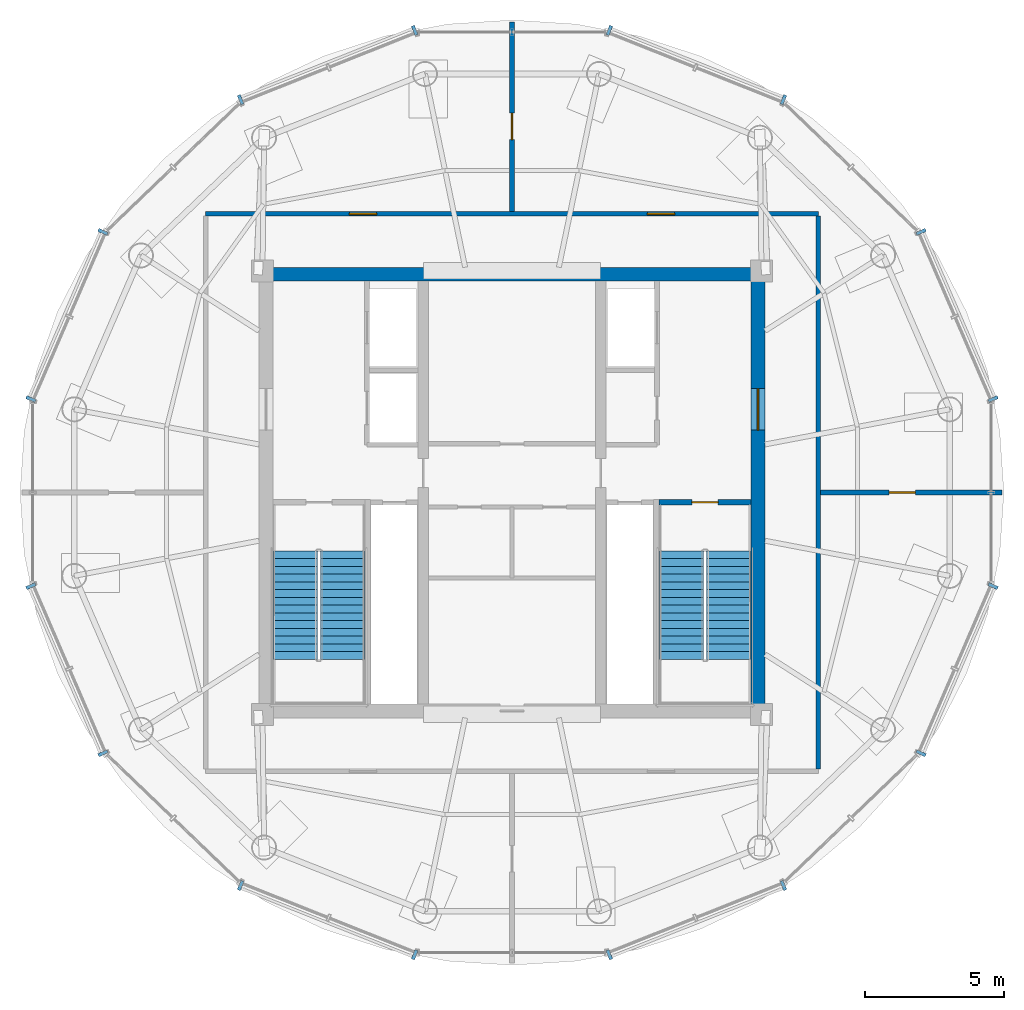
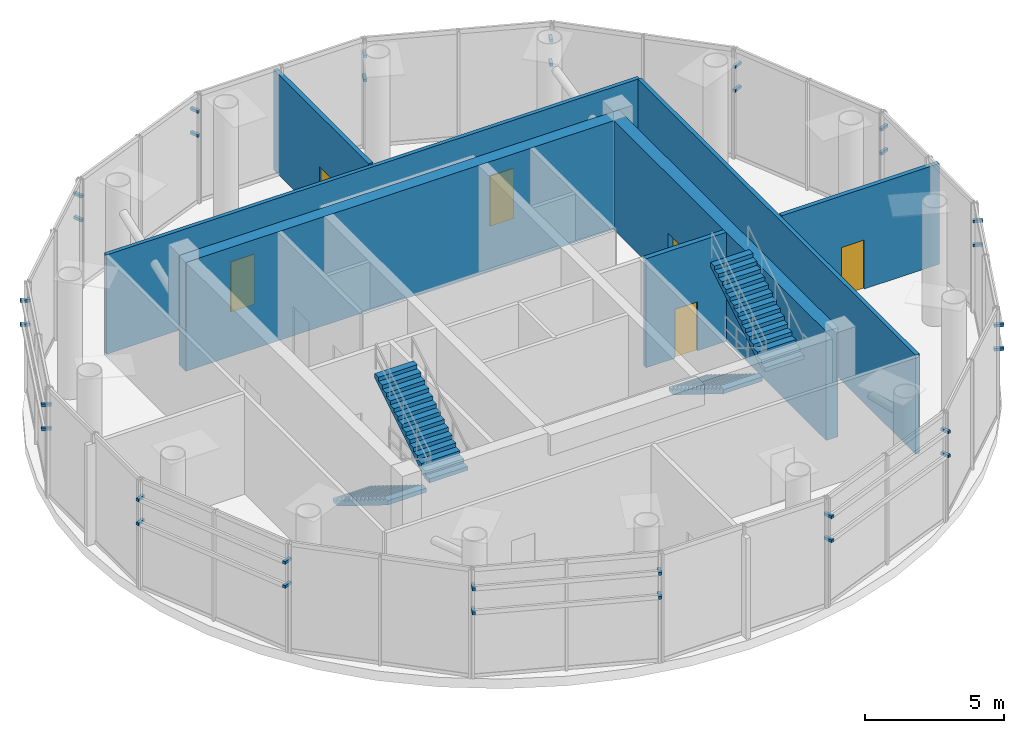
# One storey, part 13 of 15: 32 discrete accessories, 7 walls, 6 doors, 4 stair flights, 6 openings, 2 elements without a shape of their own.
"""IFC4 building model written with IfcOpenShell, lengths in metres."""

import ifcopenshell
import ifcopenshell.guid

model = None  # the IFC model being written
_history = None  # IfcOwnerHistory: only IFC2X3 demands one
_inside = {}  # id of a spatial element -> (the spatial element, [elements in it])
_under = {}  # id of a project, library or spatial element -> (it, [spatial elements below it])
_declared = {}  # id of a project -> (the project, [libraries it declares])
_typed = {}  # id of a type object -> (the type object, [elements of that type])
_made_of = {}  # id of a material, layer set ... -> (it, [elements and type objects made of it])


def new_model(schema):
    """Start an empty IFC model of exactly this schema.

    Asked for "IFC4X3", IfcOpenShell would pick the latest addendum, in which some entities
    have other attributes; the version numbers below select the first issue.
    IFC2X3 requires an IfcOwnerHistory on every rooted entity: one is made here for all.
    """
    global model, _history
    if schema == "IFC4X3":
        model = ifcopenshell.file(schema_version=(4, 3, 0, 0))
    else:
        model = ifcopenshell.file(schema=schema)
    _inside.clear()
    _under.clear()
    _declared.clear()
    _typed.clear()
    _made_of.clear()
    _history = None
    if model.schema == "IFC2X3":
        org = make("IfcOrganization", Name="unknown")
        user = make(
            "IfcPersonAndOrganization",
            ThePerson=make("IfcPerson", FamilyName="unknown"),
            TheOrganization=org,
        )
        app = make(
            "IfcApplication",
            ApplicationDeveloper=org,
            Version="unknown",
            ApplicationFullName="unknown",
            ApplicationIdentifier="unknown",
        )
        _history = make(
            "IfcOwnerHistory",
            OwningUser=user,
            OwningApplication=app,
            ChangeAction="ADDED",
            CreationDate=0,
        )
    return model


def make(cls, **values):
    """One entity of the class cls with the attributes given. An attribute that is None is left unset."""
    return model.create_entity(
        cls, **{name: value for name, value in values.items() if value is not None}
    )


def rooted(cls, **values):
    """An entity with a GlobalId (a new one), such as an element, a storey or a relation."""
    return make(cls, GlobalId=ifcopenshell.guid.new(), OwnerHistory=_history, **values)


def si_unit(unit_type, name, prefix=None):
    """IfcSIUnit, for example si_unit("LENGTHUNIT", "METRE", prefix="MILLI")."""
    return make("IfcSIUnit", UnitType=unit_type, Prefix=prefix, Name=name)


def assignment(units):
    """IfcUnitAssignment: the units of a project."""
    return None if units is None else make("IfcUnitAssignment", Units=units)


def point(xyz):
    """IfcCartesianPoint."""
    return None if xyz is None else make("IfcCartesianPoint", Coordinates=xyz)


def direction(xyz):
    """IfcDirection."""
    return None if xyz is None else make("IfcDirection", DirectionRatios=xyz)


def frame(location, z_axis=None, x_axis=None):
    """IfcAxis2Placement3D, a coordinate frame: its origin and axes. An axis left out is left unset."""
    return make(
        "IfcAxis2Placement3D",
        Location=point(location),
        Axis=direction(z_axis),
        RefDirection=direction(x_axis),
    )


def frame_2d(location, x_axis=None):
    """IfcAxis2Placement2D, a coordinate frame in the plane: its origin and x axis."""
    return make(
        "IfcAxis2Placement2D", Location=point(location), RefDirection=direction(x_axis)
    )


def origin():
    """The frame at (0, 0, 0) with its axes left unset."""
    return frame((0.0, 0.0, 0.0))


def origin_2d():
    """The frame at (0, 0) in the plane with its x axis left unset."""
    return frame_2d((0.0, 0.0))


def place(relative_to, where):
    """IfcLocalPlacement: puts the frame where relative to a parent placement (None: the world)."""
    return make(
        "IfcLocalPlacement", PlacementRelTo=relative_to, RelativePlacement=where
    )


def context(
    kind, dimensions, precision=None, world=None, true_north=None, identifier=None
):
    """IfcGeometricRepresentationContext, for example the 3D "Model" context."""
    return make(
        "IfcGeometricRepresentationContext",
        ContextIdentifier=identifier,
        ContextType=kind,
        CoordinateSpaceDimension=dimensions,
        Precision=precision,
        WorldCoordinateSystem=world,
        TrueNorth=true_north,
    )


def subcontext(parent, identifier, kind, view, scale=None):
    """IfcGeometricRepresentationSubContext, for example "Body" below "Model"."""
    return make(
        "IfcGeometricRepresentationSubContext",
        ContextIdentifier=identifier,
        ContextType=kind,
        ParentContext=parent,
        TargetScale=scale,
        TargetView=view,
    )


def project(units=None, contexts=None):
    """IfcProject with its units and contexts."""
    return rooted(
        "IfcProject",
        Name="project",
        RepresentationContexts=contexts,
        UnitsInContext=assignment(units),
    )


def spatial(cls, under=None, at=None, **own):
    """A site, building, storey or space (cls), placed at a placement, below another one or the project."""
    s = rooted(cls, ObjectPlacement=at, **own)
    if under is not None:
        _under.setdefault(under.id(), (under, []))[1].append(s)
    return s


def polyline(points):
    """IfcPolyline through the points."""
    return make("IfcPolyline", Points=[point(p) for p in points])


def profile(cls, at=None, kind="AREA", **sizes):
    """A parametric profile (cls). Its sizes go by their IFC names, for example OverallWidth=200.0."""
    return make(cls, ProfileType=kind, Position=at, **sizes)


def rectangle(**sizes):
    """IfcRectangleProfileDef."""
    return profile("IfcRectangleProfileDef", **sizes)


def outline(outer, holes=None, kind="AREA"):
    """IfcArbitraryClosedProfileDef: a profile drawn as a closed curve; with holes, ...WithVoids."""
    if holes is None:
        return make("IfcArbitraryClosedProfileDef", ProfileType=kind, OuterCurve=outer)
    return make(
        "IfcArbitraryProfileDefWithVoids",
        ProfileType=kind,
        OuterCurve=outer,
        InnerCurves=holes,
    )


def extrude(swept, where, along, depth):
    """IfcExtrudedAreaSolid: the profile swept, set in the frame where, extruded along a direction by depth."""
    return make(
        "IfcExtrudedAreaSolid",
        SweptArea=swept,
        Position=where,
        ExtrudedDirection=direction(along),
        Depth=depth,
    )


def shape(context_of_items, identifier, shape_type, items):
    """IfcShapeRepresentation: the items that make up one representation, for example the "Body"."""
    return make(
        "IfcShapeRepresentation",
        ContextOfItems=context_of_items,
        RepresentationIdentifier=identifier,
        RepresentationType=shape_type,
        Items=items,
    )


def source(mapping_origin, context_of_items, identifier, shape_type, items):
    """IfcRepresentationMap: a shape defined once, which mapped items show again and again."""
    return make(
        "IfcRepresentationMap",
        MappingOrigin=mapping_origin,
        MappedRepresentation=shape(context_of_items, identifier, shape_type, items),
    )


def transform(
    local_origin,
    x_axis=None,
    y_axis=None,
    z_axis=None,
    scale=None,
    scale2=None,
    scale3=None,
    uniform=True,
):
    """IfcCartesianTransformationOperator3D, or its non-uniform kind. x_axis, y_axis, z_axis: its Axis1, 2, 3."""
    if uniform:
        return make(
            "IfcCartesianTransformationOperator3D",
            Axis1=direction(x_axis),
            Axis2=direction(y_axis),
            LocalOrigin=point(local_origin),
            Scale=scale,
            Axis3=direction(z_axis),
        )
    return make(
        "IfcCartesianTransformationOperator3DnonUniform",
        Axis1=direction(x_axis),
        Axis2=direction(y_axis),
        LocalOrigin=point(local_origin),
        Scale=scale,
        Axis3=direction(z_axis),
        Scale2=scale2,
        Scale3=scale3,
    )


def mapped(mapping_source, mapping_target):
    """IfcMappedItem: shows the shape of a source again, moved by a transform."""
    return make(
        "IfcMappedItem", MappingSource=mapping_source, MappingTarget=mapping_target
    )


def material(Name=None, Category=None):
    """IfcMaterial."""
    return make("IfcMaterial", Name=Name, Category=Category)


def layer(
    of_material, thickness, ventilated=None, Name=None, Category=None, Priority=None
):
    """IfcMaterialLayer: one layer of a wall or slab, of a material (None: an air gap)."""
    return make(
        "IfcMaterialLayer",
        Material=of_material,
        LayerThickness=thickness,
        IsVentilated=ventilated,
        Name=Name,
        Category=Category,
        Priority=Priority,
    )


def layer_set(layers, Name=None):
    """IfcMaterialLayerSet."""
    return make("IfcMaterialLayerSet", MaterialLayers=layers, LayerSetName=Name)


def made_of(thing, what):
    """Note that an element or type object is made of a material, layer set ...; save() writes the relation."""
    if what is not None:
        _made_of.setdefault(what.id(), (what, []))[1].append(thing)
    return thing


def type_object(cls, material=None, **own):
    """A type object (cls), such as IfcWallType, which elements share."""
    return made_of(rooted(cls, **own), material)


def element(
    cls,
    number,
    at=None,
    inside=None,
    cuts=None,
    type_object=None,
    material=None,
    context=None,
    identifier="Body",
    shape_type=None,
    held_by="IfcProductDefinitionShape",
    body=None,
    shapes=None,
    **own,
):
    """One element of the class cls, such as IfcWall. Its Tag is "e" and its number.

    at: its placement. inside: the storey or other place that contains it. cuts: it is an
    opening in that element (IfcRelVoidsElement). A single representation is given by context,
    identifier, shape_type and body (its items); several are given by shapes. held_by: the class
    of the entity that holds the representations. save() writes the other relations.
    """
    e = rooted(cls, Tag="e%d" % number, ObjectPlacement=at, **own)
    if body is not None:
        shapes = [shape(context, identifier, shape_type, body)]
    if shapes is not None:
        e.Representation = make(held_by, Representations=shapes)
    if inside is not None:
        _inside.setdefault(inside.id(), (inside, []))[1].append(e)
    if cuts is not None:
        rooted(
            "IfcRelVoidsElement", RelatingBuildingElement=cuts, RelatedOpeningElement=e
        )
    if type_object is not None:
        _typed.setdefault(type_object.id(), (type_object, []))[1].append(e)
    return made_of(e, material)


def fill(opening, filler):
    """IfcRelFillsElement: the door or window that sits in an opening."""
    return rooted(
        "IfcRelFillsElement",
        RelatingOpeningElement=opening,
        RelatedBuildingElement=filler,
    )


def aggregate(whole, parts):
    """IfcRelAggregates: a whole, such as a stair, and the parts it consists of."""
    return rooted("IfcRelAggregates", RelatingObject=whole, RelatedObjects=parts)


def save(model, path):
    """Write the relations noted so far, then the file.

    IfcRelAggregates (storeys below a building ...), IfcRelContainedInSpatialStructure (elements
    in a storey), IfcRelDefinesByType, IfcRelAssociatesMaterial and IfcRelDeclares: one each for
    every whole, place, type object, material and project.
    """
    for whole, parts in _under.values():
        aggregate(whole, parts)
    for where, things in _inside.values():
        rooted(
            "IfcRelContainedInSpatialStructure",
            RelatedElements=things,
            RelatingStructure=where,
        )
    for kind, things in _typed.values():
        rooted("IfcRelDefinesByType", RelatedObjects=things, RelatingType=kind)
    for what, things in _made_of.values():
        rooted("IfcRelAssociatesMaterial", RelatedObjects=things, RelatingMaterial=what)
    for by, libraries in _declared.values():
        rooted("IfcRelDeclares", RelatingContext=by, RelatedDefinitions=libraries)
    model.write(path)


model = new_model("IFC4")

# Units and contexts
model_context = context("Model", 3, precision=1e-05, world=origin(), true_north=direction((-0.2419218956, 0.970295726276)))
body_context = subcontext(model_context, "Body", "Model", "MODEL_VIEW")
ifc_project = project(units=[si_unit("LENGTHUNIT", "METRE"), si_unit("AREAUNIT", "SQUARE_METRE"), si_unit("VOLUMEUNIT", "CUBIC_METRE"), si_unit("PLANEANGLEUNIT", "RADIAN"), si_unit("MASSUNIT", "GRAM", prefix="KILO")], contexts=[model_context])

# Site, building, storey
site_placement = place(None, origin())
site = spatial("IfcSite", under=ifc_project, at=site_placement, CompositionType="ELEMENT")
building_placement = place(site_placement, origin())
building = spatial("IfcBuilding", under=site, at=building_placement, Name="Cobrevalo Terracotta Tower", CompositionType="ELEMENT")
storey_placement = place(building_placement, frame((0.0, 0.0, 316.5)))
storey = spatial("IfcBuildingStorey", under=building, at=storey_placement, Name="L82", CompositionType="ELEMENT", Elevation=316.5)

# Wall
ifc_material_1 = material(Name="Concrete C50", Category="concrete")
ifc_layer_1 = layer(ifc_material_1, 0.5)
ifc_layer_set_1 = layer_set([ifc_layer_1], Name="Concrete C50")
wall_type_1 = type_object("IfcWallType", Name="Crown core shear wall 500 mm Concrete C50", PredefinedType="SHEAR", material=ifc_layer_set_1)
wall_1_placement = place(storey_placement, frame((28.875, 34.675048828125, 0.0), z_axis=(0.0, 0.0, 1.0), x_axis=(1.0, 0.0, 0.0)))
element("IfcWall", 1, at=wall_1_placement, inside=storey, type_object=wall_type_1, Name="L82 north core shear wall", PredefinedType="SHEAR", context=body_context, shape_type="SweptSolid", body=[
    extrude(rectangle(XDim=18.25, YDim=0.5, at=frame_2d((9.125, 0.0))), origin(), (0.0, 0.0, 1.0), 4.780029296875),
])

# Wall, opening, door
wall_2_placement = place(storey_placement, frame((46.875, 19.175048828125, 0.0), z_axis=(0.0, 0.0, 1.0), x_axis=(0.0, 1.0, 0.0)))
wall_2 = element("IfcWall", 2, at=wall_2_placement, inside=storey, type_object=wall_type_1, Name="L82 east core shear wall", PredefinedType="SHEAR", context=body_context, shape_type="SweptSolid", body=[
    extrude(rectangle(XDim=15.25, YDim=0.5, at=frame_2d((7.625, 0.0))), origin(), (0.0, 0.0, 1.0), 4.780029296875),
])
opening_1_placement = place(wall_2_placement, frame((9.875, 0.0, 0.0)))
opening_1 = element("IfcOpeningElement", 3, at=opening_1_placement, cuts=wall_2, Name="Opening ID-14", PredefinedType="OPENING", context=body_context, shape_type="SweptSolid", body=[
    extrude(rectangle(XDim=1.5, YDim=2.199951171875, at=frame_2d((0.75, 1.10009765625))), frame((0.0, 0.260009765625, 0.0), z_axis=(0.0, -1.0, 0.0), x_axis=(1.0, 0.0, 0.0)), (0.0, 0.0, 1.0), 0.52001953125),
])
ifc_material_2 = material(Name="Galvanized fire-rated steel", Category="steel")
door_type_1 = type_object("IfcDoorType", Name="Core cross-lobby double fire door 1500x2200 EI 90", OperationType="NOTDEFINED", PredefinedType="DOOR", material=ifc_material_2)
shared_shape_1 = source(origin(), body_context, "Body", "SweptSolid", [
    extrude(rectangle(XDim=1.5, YDim=2.199951171875, at=frame_2d((0.75, 1.10009765625))), frame((0.0, 0.02490234375, 0.0), z_axis=(0.0, -1.0, 0.0), x_axis=(1.0, 0.0, 0.0)), (0.0, 0.0, 1.0), 0.050048828125),
])
door_1_placement = place(opening_1_placement, frame((1.5, 0.0, 0.0), z_axis=(0.0, 0.0, 1.0), x_axis=(-1.0, 0.0, 0.0)))
door_1 = element("IfcDoor", 4, at=door_1_placement, inside=storey, type_object=door_type_1, Name="L82 east firefighting lobby entrance door", OperationType="DOUBLE_DOOR_SINGLE_SWING", OverallHeight=2.199951171875, OverallWidth=1.5, PredefinedType="DOOR", context=body_context, shape_type="MappedRepresentation", body=[
    mapped(shared_shape_1, transform((0.0, 0.0, 0.0), scale=1.0)),
])
fill(opening_1, door_1)

# Wall, openings, doors
ifc_material_3 = material(Name="Gypsum board on steel stud", Category="steel")
ifc_layer_2 = layer(ifc_material_3, 0.159912109375)
ifc_layer_set_2 = layer_set([ifc_layer_2], Name="Gypsum board on steel stud")
wall_type_2 = type_object("IfcWallType", Name="Fire-rated corridor acoustic partition wall 160 mm", PredefinedType="PARTITIONING", material=ifc_layer_set_2)
wall_3_placement = place(storey_placement, frame((26.945068359375, 36.85498046875, 0.0), z_axis=(0.0, 0.0, 1.0), x_axis=(1.0, 0.0, 0.0)))
wall_3 = element("IfcWall", 5, at=wall_3_placement, inside=storey, type_object=wall_type_2, Name="L82 interior partition IW-L82-COR-N", PredefinedType="PARTITIONING", context=body_context, shape_type="SweptSolid", body=[
    extrude(rectangle(XDim=22.10986328125, YDim=0.159912109375, at=frame_2d((11.054931640625, 0.0))), origin(), (0.0, 0.0, 1.0), 4.35205078125),
])
opening_2_placement = place(wall_3_placement, frame((15.943115234375, 0.0, 0.0)))
opening_2 = element("IfcOpeningElement", 6, at=opening_2_placement, cuts=wall_3, Name="Opening ID-05", PredefinedType="OPENING", context=body_context, shape_type="SweptSolid", body=[
    extrude(rectangle(XDim=0.97998046875, YDim=2.199951171875, at=frame_2d((0.489990234375, 1.10009765625))), frame((0.0, 0.08984375, 0.0), z_axis=(0.0, -1.0, 0.0), x_axis=(1.0, 0.0, 0.0)), (0.0, 0.0, 1.0), 0.179931640625),
])
opening_3_placement = place(wall_3_placement, frame((5.18701171875, 0.0, 0.0)))
opening_3 = element("IfcOpeningElement", 7, at=opening_3_placement, cuts=wall_3, Name="Opening ID-05", PredefinedType="OPENING", context=body_context, shape_type="SweptSolid", body=[
    extrude(rectangle(XDim=0.97998046875, YDim=2.199951171875, at=frame_2d((0.489990234375, 1.10009765625))), frame((0.0, 0.08984375, 0.0), z_axis=(0.0, -1.0, 0.0), x_axis=(1.0, 0.0, 0.0)), (0.0, 0.0, 1.0), 0.179931640625),
])
ifc_material_4 = material(Name="Solid hardwood timber", Category="wood")
door_type_2 = type_object("IfcDoorType", Name="Residence entrance fire-rated acoustic timber door 980x2200 EI 60", OperationType="NOTDEFINED", PredefinedType="DOOR", material=ifc_material_4)
shared_shape_2 = source(origin(), body_context, "Body", "SweptSolid", [
    extrude(rectangle(XDim=0.97998046875, YDim=2.199951171875, at=frame_2d((0.489990234375, 1.10009765625))), frame((0.0, 0.02490234375, 0.0), z_axis=(0.0, -1.0, 0.0), x_axis=(1.0, 0.0, 0.0)), (0.0, 0.0, 1.0), 0.050048828125),
])
door_2_placement = place(opening_2_placement, origin())
door_2 = element("IfcDoor", 8, at=door_2_placement, inside=storey, type_object=door_type_2, Name="L82 Crown Cooling Tower Plant door", OperationType="SINGLE_SWING_LEFT", OverallHeight=2.199951171875, OverallWidth=0.97998046875, PredefinedType="DOOR", context=body_context, shape_type="MappedRepresentation", body=[
    mapped(shared_shape_2, transform((0.0, 0.0, 0.0), scale=1.0)),
])
fill(opening_2, door_2)
door_3_placement = place(opening_3_placement, origin())
door_3 = element("IfcDoor", 9, at=door_3_placement, inside=storey, type_object=door_type_2, Name="L82 Crown Chiller Plant door", OperationType="SINGLE_SWING_RIGHT", OverallHeight=2.199951171875, OverallWidth=0.97998046875, PredefinedType="DOOR", context=body_context, shape_type="MappedRepresentation", body=[
    mapped(shared_shape_2, transform((0.0, 0.0, 0.0), scale=1.0)),
])
fill(opening_3, door_3)

# Wall
wall_4_placement = place(storey_placement, frame((49.054931640625, 16.824951171875, 0.0), z_axis=(0.0, 0.0, 1.0), x_axis=(0.0, 1.0, 0.0)))
element("IfcWall", 10, at=wall_4_placement, inside=storey, type_object=wall_type_2, Name="L82 interior partition IW-L82-COR-E", PredefinedType="PARTITIONING", context=body_context, shape_type="SweptSolid", body=[
    extrude(rectangle(XDim=19.949951171875, YDim=0.159912109375, at=frame_2d((9.97509765625, 0.0))), origin(), (0.0, 0.0, 1.0), 4.35205078125),
])

# Wall, opening, door
ifc_layer_3 = layer(ifc_material_3, 0.179931640625)
ifc_layer_set_3 = layer_set([ifc_layer_3], Name="Gypsum board on steel stud")
wall_type_3 = type_object("IfcWallType", Name="Fire-rated shaft & lobby acoustic partition wall 180 mm", PredefinedType="PARTITIONING", material=ifc_layer_set_3)
wall_5_placement = place(storey_placement, frame((49.136962890625, 26.800048828125, 0.0), z_axis=(0.0, 0.0, 1.0), x_axis=(1.0, 0.0, 0.0)))
wall_5 = element("IfcWall", 11, at=wall_5_placement, inside=storey, type_object=wall_type_3, Name="L82 interior partition IW-L82-CW1", PredefinedType="PARTITIONING", context=body_context, shape_type="SweptSolid", body=[
    extrude(rectangle(XDim=6.532958984375, YDim=0.179931640625, at=frame_2d((3.2666015625, 0.0))), origin(), (0.0, 0.0, 1.0), 4.410888671875),
])
opening_4_placement = place(wall_5_placement, frame((2.46484375, 0.0, 0.0)))
opening_4 = element("IfcOpeningElement", 12, at=opening_4_placement, cuts=wall_5, Name="Opening ID-04", PredefinedType="OPENING", context=body_context, shape_type="SweptSolid", body=[
    extrude(rectangle(XDim=0.949951171875, YDim=2.14990234375, at=frame_2d((0.47509765625, 1.074951171875))), frame((0.0, 0.10009765625, 0.0), z_axis=(0.0, -1.0, 0.0), x_axis=(1.0, 0.0, 0.0)), (0.0, 0.0, 1.0), 0.199951171875),
])
door_type_3 = type_object("IfcDoorType", Name="Stair & firefighting lobby fire door 950x2150 EI 90", OperationType="NOTDEFINED", PredefinedType="DOOR", material=ifc_material_2)
shared_shape_3 = source(origin(), body_context, "Body", "SweptSolid", [
    extrude(rectangle(XDim=0.949951171875, YDim=2.14990234375, at=frame_2d((0.47509765625, 1.074951171875))), frame((0.0, 0.02490234375, 0.0), z_axis=(0.0, -1.0, 0.0), x_axis=(1.0, 0.0, 0.0)), (0.0, 0.0, 1.0), 0.050048828125),
])
door_4_placement = place(opening_4_placement, origin())
door_4 = element("IfcDoor", 13, at=door_4_placement, inside=storey, type_object=door_type_3, Name="L82 crown plant interconnecting fire door 1", OperationType="SINGLE_SWING_LEFT", OverallHeight=2.14990234375, OverallWidth=0.949951171875, PredefinedType="DOOR", context=body_context, shape_type="MappedRepresentation", body=[
    mapped(shared_shape_3, transform((0.0, 0.0, 0.0), scale=1.0)),
])
fill(opening_4, door_4)

wall_6_placement = place(storey_placement, frame((38.0, 36.93701171875, 0.0), z_axis=(0.0, 0.0, 1.0), x_axis=(0.0, 1.0, 0.0)))
wall_6 = element("IfcWall", 14, at=wall_6_placement, inside=storey, type_object=wall_type_3, Name="L82 interior partition IW-L82-CW2", PredefinedType="PARTITIONING", context=body_context, shape_type="SweptSolid", body=[
    extrude(rectangle(XDim=6.8330078125, YDim=0.179931640625, at=frame_2d((3.41650390625, 0.0))), origin(), (0.0, 0.0, 1.0), 4.410888671875),
])
opening_5_placement = place(wall_6_placement, frame((2.599853515625, 0.0, 0.0)))
opening_5 = element("IfcOpeningElement", 15, at=opening_5_placement, cuts=wall_6, Name="Opening ID-04", PredefinedType="OPENING", context=body_context, shape_type="SweptSolid", body=[
    extrude(rectangle(XDim=0.949951171875, YDim=2.14990234375, at=frame_2d((0.47509765625, 1.074951171875))), frame((0.0, 0.10009765625, 0.0), z_axis=(0.0, -1.0, 0.0), x_axis=(1.0, 0.0, 0.0)), (0.0, 0.0, 1.0), 0.199951171875),
])
door_5_placement = place(opening_5_placement, origin())
door_5 = element("IfcDoor", 16, at=door_5_placement, inside=storey, type_object=door_type_3, Name="L82 crown plant interconnecting fire door 2", OperationType="SINGLE_SWING_LEFT", OverallHeight=2.14990234375, OverallWidth=0.949951171875, PredefinedType="DOOR", context=body_context, shape_type="MappedRepresentation", body=[
    mapped(shared_shape_3, transform((0.0, 0.0, 0.0), scale=1.0)),
])
fill(opening_5, door_5)

ifc_layer_4 = layer(ifc_material_1, 0.199951171875)
ifc_layer_set_4 = layer_set([ifc_layer_4], Name="Concrete C50")
wall_type_4 = type_object("IfcWallType", Name="Structural core & podium stair-shaft RC wall 200 mm Concrete C50", PredefinedType="SOLIDWALL", material=ifc_layer_set_4)
wall_7_placement = place(storey_placement, frame((43.304931640625, 26.449951171875, 0.0), z_axis=(0.0, 0.0, 1.0), x_axis=(1.0, 0.0, 0.0)))
wall_7 = element("IfcWall", 17, at=wall_7_placement, inside=storey, type_object=wall_type_4, Name="L82 ST-2 north structural shaft wall", PredefinedType="SOLIDWALL", context=body_context, shape_type="SweptSolid", body=[
    extrude(rectangle(XDim=3.320068359375, YDim=0.199951171875, at=frame_2d((1.66015625, 0.0))), origin(), (0.0, 0.0, 1.0), 4.780029296875),
])
opening_6_placement = place(wall_7_placement, frame((1.18505859375, 0.0, 0.0)))
opening_6 = element("IfcOpeningElement", 18, at=opening_6_placement, cuts=wall_7, Name="Opening ID-04", PredefinedType="OPENING", context=body_context, shape_type="SweptSolid", body=[
    extrude(rectangle(XDim=0.949951171875, YDim=2.14990234375, at=frame_2d((0.47509765625, 1.074951171875))), frame((0.0, 0.10986328125, 0.0), z_axis=(0.0, -1.0, 0.0), x_axis=(1.0, 0.0, 0.0)), (0.0, 0.0, 1.0), 0.219970703125),
])
door_6_placement = place(opening_6_placement, frame((0.949951171875, 0.0, 0.0), z_axis=(0.0, 0.0, 1.0), x_axis=(-1.0, 0.0, 0.0)))
door_6 = element("IfcDoor", 19, at=door_6_placement, inside=storey, type_object=door_type_3, Name="L82 protected stair ST2 fire door", OperationType="SINGLE_SWING_RIGHT", OverallHeight=2.14990234375, OverallWidth=0.949951171875, PredefinedType="DOOR", context=body_context, shape_type="MappedRepresentation", body=[
    mapped(shared_shape_3, transform((0.0, 0.0, 0.0), scale=1.0)),
])
fill(opening_6, door_6)

# Stair, stair flights
stair_type = type_object("IfcStairType", Name="Core protected escape dogleg stair 1600", PredefinedType="HALF_TURN_STAIR", material=ifc_material_1)
stair_1_placement = place(storey_placement, origin())
stair_1 = element("IfcStair", 20, at=stair_1_placement, inside=storey, type_object=stair_type, Name="L82 Protected exit stair ST-1", PredefinedType="HALF_TURN_STAIR")
stair_flight_type = type_object("IfcStairFlightType", Name="Core protected escape dogleg stair 1600 flight", PredefinedType="STRAIGHT", material=ifc_material_1)
stair_flight_1_placement = place(storey_placement, frame((30.175048828125, 24.699951171875, 0.0), z_axis=(0.0, 0.0, 1.0), x_axis=(0.0, -1.0, 0.0)))
stair_flight_1 = element("IfcStairFlight", 21, at=stair_flight_1_placement, type_object=stair_flight_type, Name="ST-1 flight 1", NumberOfRisers=15, NumberOfTreads=14, PredefinedType="STRAIGHT", RiserHeight=0.173333333, TreadLength=0.28, context=body_context, shape_type="SweptSolid", body=[
    extrude(outline(polyline([(0.0, 0.0), (0.0, 0.17333984375), (0.280029296875, 0.17333984375), (0.280029296875, 0.3466796875), (0.56005859375, 0.3466796875), (0.56005859375, 0.52001953125), (0.840087890625, 0.52001953125), (0.840087890625, 0.693359375), (1.1201171875, 0.693359375), (1.1201171875, 0.86669921875), (1.39990234375, 0.86669921875), (1.39990234375, 1.0400390625), (1.679931640625, 1.0400390625), (1.679931640625, 1.21337890625), (1.9599609375, 1.21337890625), (1.9599609375, 1.38671875), (2.239990234375, 1.38671875), (2.239990234375, 1.56005859375), (2.52001953125, 1.56005859375), (2.52001953125, 1.7333984375), (2.800048828125, 1.7333984375), (2.800048828125, 1.90673828125), (3.080078125, 1.90673828125), (3.080078125, 2.080078125), (3.360107421875, 2.080078125), (3.360107421875, 2.25341796875), (3.639892578125, 2.25341796875), (3.639892578125, 2.4267578125), (3.919921875, 2.4267578125), (3.919921875, 2.60009765625), (3.919921875, 2.238525390625), (0.3037109375, 0.0), (0.0, 0.0)])), frame((0.0, 0.800048828125, 0.0), z_axis=(0.0, -1.0, 0.0), x_axis=(1.0, 0.0, 0.0)), (0.0, 0.0, 1.0), 1.60009765625),
])
stair_flight_2_placement = place(storey_placement, frame((31.89501953125, 20.780029296875, 2.60009765625), z_axis=(0.0, 0.0, 1.0), x_axis=(0.0, 1.0, 0.0)))
stair_flight_2 = element("IfcStairFlight", 22, at=stair_flight_2_placement, type_object=stair_flight_type, Name="ST-1 flight 2", NumberOfRisers=15, NumberOfTreads=14, PredefinedType="STRAIGHT", RiserHeight=0.173333333, TreadLength=0.28, context=body_context, shape_type="SweptSolid", body=[
    extrude(outline(polyline([(0.0, 0.0), (0.0, 0.17333984375), (0.280029296875, 0.17333984375), (0.280029296875, 0.3466796875), (0.56005859375, 0.3466796875), (0.56005859375, 0.52001953125), (0.840087890625, 0.52001953125), (0.840087890625, 0.693359375), (1.1201171875, 0.693359375), (1.1201171875, 0.86669921875), (1.39990234375, 0.86669921875), (1.39990234375, 1.0400390625), (1.679931640625, 1.0400390625), (1.679931640625, 1.21337890625), (1.9599609375, 1.21337890625), (1.9599609375, 1.38671875), (2.239990234375, 1.38671875), (2.239990234375, 1.56005859375), (2.52001953125, 1.56005859375), (2.52001953125, 1.7333984375), (2.800048828125, 1.7333984375), (2.800048828125, 1.90673828125), (3.080078125, 1.90673828125), (3.080078125, 2.080078125), (3.360107421875, 2.080078125), (3.360107421875, 2.25341796875), (3.639892578125, 2.25341796875), (3.639892578125, 2.4267578125), (3.919921875, 2.4267578125), (3.919921875, 2.60009765625), (3.919921875, 2.238525390625), (0.3037109375, 0.0), (0.0, 0.0)])), frame((0.0, 0.800048828125, 0.0), z_axis=(0.0, -1.0, 0.0), x_axis=(1.0, 0.0, 0.0)), (0.0, 0.0, 1.0), 1.60009765625),
])
aggregate(stair_1, [stair_flight_1, stair_flight_2])

stair_2_placement = place(storey_placement, origin())
stair_2 = element("IfcStair", 23, at=stair_2_placement, inside=storey, type_object=stair_type, Name="L82 Protected exit stair ST-2", PredefinedType="HALF_TURN_STAIR")
stair_flight_3_placement = place(storey_placement, frame((44.10498046875, 24.699951171875, 0.0), z_axis=(0.0, 0.0, 1.0), x_axis=(0.0, -1.0, 0.0)))
stair_flight_3 = element("IfcStairFlight", 24, at=stair_flight_3_placement, type_object=stair_flight_type, Name="ST-2 flight 1", NumberOfRisers=15, NumberOfTreads=14, PredefinedType="STRAIGHT", RiserHeight=0.173333333, TreadLength=0.28, context=body_context, shape_type="SweptSolid", body=[
    extrude(outline(polyline([(0.0, 0.0), (0.0, 0.17333984375), (0.280029296875, 0.17333984375), (0.280029296875, 0.3466796875), (0.56005859375, 0.3466796875), (0.56005859375, 0.52001953125), (0.840087890625, 0.52001953125), (0.840087890625, 0.693359375), (1.1201171875, 0.693359375), (1.1201171875, 0.86669921875), (1.39990234375, 0.86669921875), (1.39990234375, 1.0400390625), (1.679931640625, 1.0400390625), (1.679931640625, 1.21337890625), (1.9599609375, 1.21337890625), (1.9599609375, 1.38671875), (2.239990234375, 1.38671875), (2.239990234375, 1.56005859375), (2.52001953125, 1.56005859375), (2.52001953125, 1.7333984375), (2.800048828125, 1.7333984375), (2.800048828125, 1.90673828125), (3.080078125, 1.90673828125), (3.080078125, 2.080078125), (3.360107421875, 2.080078125), (3.360107421875, 2.25341796875), (3.639892578125, 2.25341796875), (3.639892578125, 2.4267578125), (3.919921875, 2.4267578125), (3.919921875, 2.60009765625), (3.919921875, 2.238525390625), (0.3037109375, 0.0), (0.0, 0.0)])), frame((0.0, 0.800048828125, 0.0), z_axis=(0.0, -1.0, 0.0), x_axis=(1.0, 0.0, 0.0)), (0.0, 0.0, 1.0), 1.60009765625),
])
stair_flight_4_placement = place(storey_placement, frame((45.824951171875, 20.780029296875, 2.60009765625), z_axis=(0.0, 0.0, 1.0), x_axis=(0.0, 1.0, 0.0)))
stair_flight_4 = element("IfcStairFlight", 25, at=stair_flight_4_placement, type_object=stair_flight_type, Name="ST-2 flight 2", NumberOfRisers=15, NumberOfTreads=14, PredefinedType="STRAIGHT", RiserHeight=0.173333333, TreadLength=0.28, context=body_context, shape_type="SweptSolid", body=[
    extrude(outline(polyline([(0.0, 0.0), (0.0, 0.17333984375), (0.280029296875, 0.17333984375), (0.280029296875, 0.3466796875), (0.56005859375, 0.3466796875), (0.56005859375, 0.52001953125), (0.840087890625, 0.52001953125), (0.840087890625, 0.693359375), (1.1201171875, 0.693359375), (1.1201171875, 0.86669921875), (1.39990234375, 0.86669921875), (1.39990234375, 1.0400390625), (1.679931640625, 1.0400390625), (1.679931640625, 1.21337890625), (1.9599609375, 1.21337890625), (1.9599609375, 1.38671875), (2.239990234375, 1.38671875), (2.239990234375, 1.56005859375), (2.52001953125, 1.56005859375), (2.52001953125, 1.7333984375), (2.800048828125, 1.7333984375), (2.800048828125, 1.90673828125), (3.080078125, 1.90673828125), (3.080078125, 2.080078125), (3.360107421875, 2.080078125), (3.360107421875, 2.25341796875), (3.639892578125, 2.25341796875), (3.639892578125, 2.4267578125), (3.919921875, 2.4267578125), (3.919921875, 2.60009765625), (3.919921875, 2.238525390625), (0.3037109375, 0.0), (0.0, 0.0)])), frame((0.0, 0.800048828125, 0.0), z_axis=(0.0, -1.0, 0.0), x_axis=(1.0, 0.0, 0.0)), (0.0, 0.0, 1.0), 1.60009765625),
])
aggregate(stair_2, [stair_flight_3, stair_flight_4])

# Discrete accessories
ifc_material_5 = material(Name="Brushed stainless steel", Category="steel")
ifc_layer_5 = layer(ifc_material_5, 0.1201171875)
ifc_layer_set_5 = layer_set([ifc_layer_5], Name="Brushed stainless steel")
discrete_accessory_type = type_object("IfcDiscreteAccessoryType", Name="Stainless Steel Facade & Canopy Support Bracket", PredefinedType="BRACKET", material=ifc_layer_set_5)
shared_shape_4 = source(origin(), body_context, "Body", "SweptSolid", [
    extrude(rectangle(XDim=0.1201171875, YDim=0.360107421875, at=origin_2d()), origin(), (0.0, 0.0, 1.0), 0.1201171875),
])
for number, where, z_axis, x_axis, name in (
    (26, (55.358154296875, 30.17529296875, 2.903564453125), (0.0, 0.0, 1.0), (-0.396066411085, 0.91822186753, 0.0), "CW-CRN-L82-S01 stainless baguette support bracket 1-A"),
    (27, (52.75732421875, 36.204833984375, 2.903564453125), (0.0, 0.0, 1.0), (-0.396066411085, 0.91822186753, 0.0), "CW-CRN-L82-S01 stainless baguette support bracket 1-B"),
    (28, (55.358154296875, 30.17529296875, 3.955078125), (0.0, 0.0, 1.0), (-0.396066411085, 0.91822186753, 0.0), "CW-CRN-L82-S01 stainless baguette support bracket 2-A"),
    (29, (52.75732421875, 36.204833984375, 3.955078125), (0.0, 0.0, 1.0), (-0.396066411085, 0.91822186753, 0.0), "CW-CRN-L82-S01 stainless baguette support bracket 2-B"),
    (30, (47.790771484375, 40.97509765625, 2.903564453125), (0.0, 0.0, 1.0), (-0.929190639756, 0.36960080491, 0.0), "CW-CRN-L82-S03 stainless baguette support bracket 1-A"),
    (31, (41.509765625, 43.4736328125, 2.903564453125), (0.0, 0.0, 1.0), (-0.929190639756, 0.36960080491, 0.0), "CW-CRN-L82-S03 stainless baguette support bracket 1-B"),
    (32, (47.790771484375, 40.97509765625, 3.955078125), (0.0, 0.0, 1.0), (-0.929190639756, 0.36960080491, 0.0), "CW-CRN-L82-S03 stainless baguette support bracket 2-A"),
    (33, (41.509765625, 43.4736328125, 3.955078125), (0.0, 0.0, 1.0), (-0.929190639756, 0.36960080491, 0.0), "CW-CRN-L82-S03 stainless baguette support bracket 2-B"),
    (34, (34.490234375, 43.4736328125, 2.903564453125), (0.0, 0.0, 1.0), (-0.929190639756, -0.36960080491, 0.0), "CW-CRN-L82-S05 stainless baguette support bracket 1-A"),
    (35, (28.209228515625, 40.97509765625, 2.903564453125), (0.0, 0.0, 1.0), (-0.929190639756, -0.36960080491, 0.0), "CW-CRN-L82-S05 stainless baguette support bracket 1-B"),
    (36, (34.490234375, 43.4736328125, 3.955078125), (0.0, 0.0, 1.0), (-0.929190639756, -0.36960080491, 0.0), "CW-CRN-L82-S05 stainless baguette support bracket 2-A"),
    (37, (28.209228515625, 40.97509765625, 3.955078125), (0.0, 0.0, 1.0), (-0.929190639756, -0.36960080491, 0.0), "CW-CRN-L82-S05 stainless baguette support bracket 2-B"),
    (38, (23.24267578125, 36.204833984375, 2.903564453125), (0.0, 0.0, 1.0), (-0.396066411085, -0.91822186753, 0.0), "CW-CRN-L82-S07 stainless baguette support bracket 1-A"),
    (39, (20.641845703125, 30.17529296875, 2.903564453125), (0.0, 0.0, 1.0), (-0.396066411085, -0.91822186753, 0.0), "CW-CRN-L82-S07 stainless baguette support bracket 1-B"),
    (40, (23.24267578125, 36.204833984375, 3.955078125), (0.0, 0.0, 1.0), (-0.396066411085, -0.91822186753, 0.0), "CW-CRN-L82-S07 stainless baguette support bracket 2-A"),
    (41, (20.641845703125, 30.17529296875, 3.955078125), (0.0, 0.0, 1.0), (-0.396066411085, -0.91822186753, 0.0), "CW-CRN-L82-S07 stainless baguette support bracket 2-B"),
    (42, (20.641845703125, 23.4248046875, 2.903564453125), (0.0, 0.0, 1.0), (0.396066411085, -0.91822186753, 0.0), "CW-CRN-L82-S09 stainless baguette support bracket 1-A"),
    (43, (23.24267578125, 17.395263671875, 2.903564453125), (0.0, 0.0, 1.0), (0.396066411085, -0.91822186753, 0.0), "CW-CRN-L82-S09 stainless baguette support bracket 1-B"),
    (44, (20.641845703125, 23.4248046875, 3.955078125), (0.0, 0.0, 1.0), (0.396066411085, -0.91822186753, 0.0), "CW-CRN-L82-S09 stainless baguette support bracket 2-A"),
    (45, (23.24267578125, 17.395263671875, 3.955078125), (0.0, 0.0, 1.0), (0.396066411085, -0.91822186753, 0.0), "CW-CRN-L82-S09 stainless baguette support bracket 2-B"),
    (46, (28.209228515625, 12.624755859375, 2.903564453125), (0.0, 0.0, 1.0), (0.929190639756, -0.36960080491, 0.0), "CW-CRN-L82-S11 stainless baguette support bracket 1-A"),
    (47, (34.490234375, 10.12646484375, 2.903564453125), (0.0, 0.0, 1.0), (0.929190639756, -0.36960080491, 0.0), "CW-CRN-L82-S11 stainless baguette support bracket 1-B"),
    (48, (28.209228515625, 12.624755859375, 3.955078125), (0.0, 0.0, 1.0), (0.929190639756, -0.36960080491, 0.0), "CW-CRN-L82-S11 stainless baguette support bracket 2-A"),
    (49, (34.490234375, 10.12646484375, 3.955078125), (0.0, 0.0, 1.0), (0.929190639756, -0.36960080491, 0.0), "CW-CRN-L82-S11 stainless baguette support bracket 2-B"),
    (50, (41.509765625, 10.12646484375, 2.903564453125), (0.0, 0.0, 1.0), (0.929190639756, 0.36960080491, 0.0), "CW-CRN-L82-S13 stainless baguette support bracket 1-A"),
    (51, (47.790771484375, 12.624755859375, 2.903564453125), (0.0, 0.0, 1.0), (0.929190639756, 0.36960080491, 0.0), "CW-CRN-L82-S13 stainless baguette support bracket 1-B"),
    (52, (41.509765625, 10.12646484375, 3.955078125), (0.0, 0.0, 1.0), (0.929190639756, 0.36960080491, 0.0), "CW-CRN-L82-S13 stainless baguette support bracket 2-A"),
    (53, (47.790771484375, 12.624755859375, 3.955078125), (0.0, 0.0, 1.0), (0.929190639756, 0.36960080491, 0.0), "CW-CRN-L82-S13 stainless baguette support bracket 2-B"),
    (54, (52.75732421875, 17.395263671875, 2.903564453125), (0.0, 0.0, 1.0), (0.396066411085, 0.91822186753, 0.0), "CW-CRN-L82-S15 stainless baguette support bracket 1-A"),
    (55, (55.358154296875, 23.4248046875, 2.903564453125), (0.0, 0.0, 1.0), (0.396066411085, 0.91822186753, 0.0), "CW-CRN-L82-S15 stainless baguette support bracket 1-B"),
    (56, (52.75732421875, 17.395263671875, 3.955078125), (0.0, 0.0, 1.0), (0.396066411085, 0.91822186753, 0.0), "CW-CRN-L82-S15 stainless baguette support bracket 2-A"),
    (57, (55.358154296875, 23.4248046875, 3.955078125), (0.0, 0.0, 1.0), (0.396066411085, 0.91822186753, 0.0), "CW-CRN-L82-S15 stainless baguette support bracket 2-B"),
):
    element("IfcDiscreteAccessory", number, at=place(storey_placement, frame(where, z_axis=z_axis, x_axis=x_axis)), inside=storey, type_object=discrete_accessory_type, Name=name, PredefinedType="BRACKET", context=body_context, shape_type="MappedRepresentation", body=[
        mapped(shared_shape_4, transform((0.0, 0.0, 0.0), scale=1.0)),
    ])

save(model, "model.ifc")
